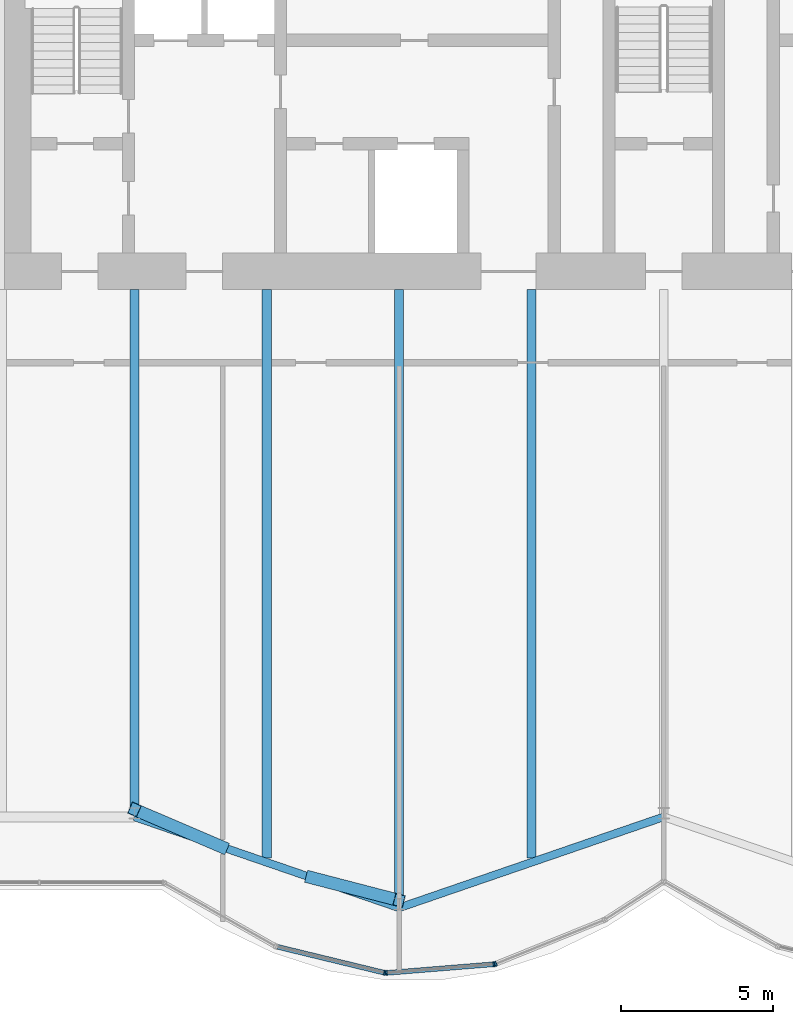
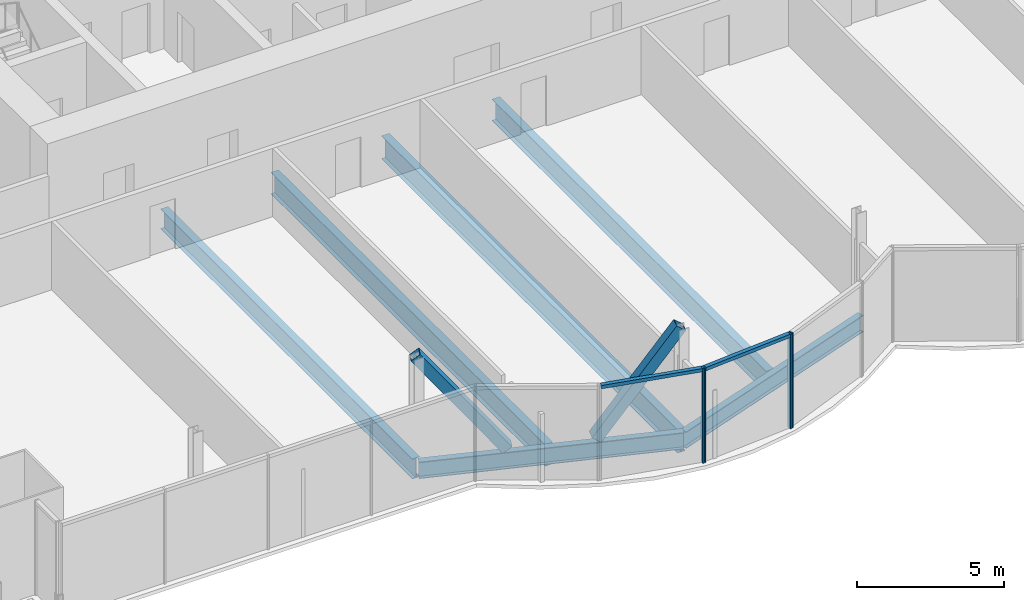
# One storey, part 6 of 20: 8 members, 6 beams, 1 element without a shape of its own.
"""IFC4 building model written with IfcOpenShell, lengths in metres."""

from ifc_helpers import new_model, si_unit, direction, frame, origin, origin_2d, place, context, subcontext, project, spatial, rectangle, hollow_rectangle, i_section, extrude, material, material_profile, profile_set, type_object, element, aggregate, save


model = new_model("IFC4")

# Units and contexts
model_context = context("Model", 3, precision=1e-05, world=origin(), true_north=direction((0.0, 1.0)))
body_context = subcontext(model_context, "Body", "Model", "MODEL_VIEW")
ifc_project = project(units=[si_unit("LENGTHUNIT", "METRE"), si_unit("AREAUNIT", "SQUARE_METRE"), si_unit("VOLUMEUNIT", "CUBIC_METRE"), si_unit("PLANEANGLEUNIT", "RADIAN"), si_unit("MASSUNIT", "GRAM", prefix="KILO")], contexts=[model_context])

# Site, building, storey
site_placement = place(None, origin())
site = spatial("IfcSite", under=ifc_project, at=site_placement, CompositionType="ELEMENT")
building_placement = place(site_placement, origin())
building = spatial("IfcBuilding", under=site, at=building_placement, Name="Bicima Exchange Tower", CompositionType="ELEMENT")
storey_placement = place(building_placement, frame((0.0, 0.0, 199.10009765625)))
storey = spatial("IfcBuildingStorey", under=building, at=storey_placement, Name="L44", CompositionType="ELEMENT", Elevation=199.10009765625)

# Beams
ifc_material_1 = material(Name="Steel ASTM A992 Gr 50", Category="steel")
ifc_material_profile_1 = material_profile(ifc_material_1, i_section(OverallWidth=0.2919921875, OverallDepth=0.835693359375, WebThickness=0.013916015625, FlangeThickness=0.018798828125, at=origin_2d()))
ifc_profile_set_1 = profile_set([ifc_material_profile_1], Name="Steel ASTM A992 Gr 50")
beam_type_1 = type_object("IfcBeamType", Name="Floor beam W33x118", PredefinedType="JOIST", material=ifc_profile_set_1)
beam_1_placement = place(storey_placement, frame((-17.39990234375, -13.0, -0.56787109375), z_axis=(0.0, -1.0, 0.0), x_axis=(1.0, 0.0, 0.0)))
element("IfcBeam", 1, at=beam_1_placement, inside=storey, type_object=beam_type_1, Name="Floor beam", PredefinedType="JOIST", context=body_context, shape_type="SweptSolid", body=[
    extrude(i_section(OverallWidth=0.2919921875, OverallDepth=0.835693359375, WebThickness=0.013916015625, FlangeThickness=0.018798828125, at=origin_2d()), origin(), (0.0, 0.0, 1.0), 17.165283203125),
])
ifc_material_profile_2 = material_profile(ifc_material_1, i_section(OverallWidth=0.3046875, OverallDepth=0.904296875, WebThickness=0.01513671875, FlangeThickness=0.02001953125, at=origin_2d()))
ifc_profile_set_2 = profile_set([ifc_material_profile_2], Name="Steel ASTM A992 Gr 50")
beam_type_2 = type_object("IfcBeamType", Name="Floor beam W36x135", PredefinedType="JOIST", material=ifc_profile_set_2)
for number, where, z_axis, x_axis, name in (
    (2, (-13.050048828125, -13.0, -0.602294921875), (0.0, -1.0, 0.0), (1.0, 0.0, 0.0), "Floor beam"),
    (3, (-4.35009765625, -13.0, -0.602294921875), (0.0, -1.0, 0.0), (1.0, 0.0, 0.0), "Floor beam"),
):
    element("IfcBeam", number, at=place(storey_placement, frame(where, z_axis=z_axis, x_axis=x_axis)), inside=storey, type_object=beam_type_2, Name=name, PredefinedType="JOIST", context=body_context, shape_type="SweptSolid", body=[
        extrude(i_section(OverallWidth=0.3046875, OverallDepth=0.904296875, WebThickness=0.01513671875, FlangeThickness=0.02001953125, at=origin_2d()), origin(), (0.0, 0.0, 1.0), 18.68798828125),
    ])
ifc_material_profile_3 = material_profile(ifc_material_1, i_section(OverallWidth=0.2998046875, OverallDepth=0.97021484375, WebThickness=0.01611328125, FlangeThickness=0.02099609375, at=origin_2d()))
ifc_profile_set_3 = profile_set([ifc_material_profile_3], Name="Steel ASTM A992 Gr 50")
beam_type_3 = type_object("IfcBeamType", Name="Floor beam W40x149", PredefinedType="JOIST", material=ifc_profile_set_3)
beam_2_placement = place(storey_placement, frame((-8.699951171875, -13.0, -0.63525390625), z_axis=(0.0, -1.0, 0.0), x_axis=(1.0, 0.0, 0.0)))
element("IfcBeam", 4, at=beam_2_placement, inside=storey, type_object=beam_type_3, Name="Floor beam", PredefinedType="JOIST", context=body_context, shape_type="SweptSolid", body=[
    extrude(i_section(OverallWidth=0.2998046875, OverallDepth=0.97021484375, WebThickness=0.01611328125, FlangeThickness=0.02099609375, at=origin_2d()), origin(), (0.0, 0.0, 1.0), 20.183349609375),
])
ifc_material_profile_4 = material_profile(ifc_material_1, i_section(OverallWidth=0.256591796875, OverallDepth=0.693359375, WebThickness=0.014404296875, FlangeThickness=0.023681640625, at=origin_2d()))
ifc_profile_set_4 = profile_set([ifc_material_profile_4], Name="Steel ASTM A992 Gr 50")
beam_type_4 = type_object("IfcBeamType", Name="Front girder W27x114", PredefinedType="BEAM", material=ifc_profile_set_4)
for number, where, z_axis, x_axis, name in (
    (5, (-17.39990234375, -30.327880859375, -0.496826171875), (0.945666456746, -0.325138359143, 0.0), (0.325138359143, 0.945666456746, 0.0), "Front girder"),
    (6, (-8.699951171875, -33.319091796875, -0.496826171875), (0.945666456746, 0.325138359143, 0.0), (-0.325138359143, 0.945666456746, 0.0), "Front girder"),
):
    element("IfcBeam", number, at=place(storey_placement, frame(where, z_axis=z_axis, x_axis=x_axis)), inside=storey, type_object=beam_type_4, Name=name, PredefinedType="BEAM", context=body_context, shape_type="SweptSolid", body=[
        extrude(i_section(OverallWidth=0.256591796875, OverallDepth=0.693359375, WebThickness=0.014404296875, FlangeThickness=0.023681640625, at=origin_2d()), origin(), (0.0, 0.0, 1.0), 9.19970703125),
    ])

# Curtain wall, members
ifc_material_2 = material(Name="Anodised bronze aluminium", Category="aluminium")
curtain_wall_type = type_object("IfcCurtainWallType", Name="Front glass wall", PredefinedType="NOTDEFINED", material=ifc_material_2)
curtain_wall_placement = place(storey_placement, origin())
curtain_wall = element("IfcCurtainWall", 7, at=curtain_wall_placement, inside=storey, type_object=curtain_wall_type, Name="Front glass wall L44 run 6", PredefinedType="NOTDEFINED")
ifc_material_profile_5 = material_profile(ifc_material_2, rectangle(XDim=0.159912109375, YDim=0.06005859375, at=origin_2d()))
ifc_profile_set_5 = profile_set([ifc_material_profile_5], Name="Anodised bronze aluminium")
member_type_1 = type_object("IfcMemberType", Name="Front glass wall mullion 60 x 160", PredefinedType="MULLION", material=ifc_profile_set_5)
member_1_placement = place(storey_placement, frame((-9.177490234375, -35.453857421875, 0.0), z_axis=(0.0, 0.0, 1.0), x_axis=(0.235681529503, 0.971830343553, 0.0)))
member_1 = element("IfcMember", 8, at=member_1_placement, type_object=member_type_1, Name="Front glass wall mullion 2", PredefinedType="MULLION", context=body_context, shape_type="SweptSolid", body=[
    extrude(rectangle(XDim=0.159912109375, YDim=0.06005859375, at=origin_2d()), origin(), (0.0, 0.0, 1.0), 3.949951171875),
])
member_2_placement = place(storey_placement, frame((-9.118408203125, -35.45849609375, 0.0), z_axis=(0.0, 0.0, 1.0), x_axis=(-0.080588612633, 0.99674744821, 0.0)))
member_2 = element("IfcMember", 9, at=member_2_placement, type_object=member_type_1, Name="Front glass wall mullion 1", PredefinedType="MULLION", context=body_context, shape_type="SweptSolid", body=[
    extrude(rectangle(XDim=0.159912109375, YDim=0.06005859375, at=origin_2d()), origin(), (0.0, 0.0, 1.0), 3.949951171875),
])
member_3_placement = place(storey_placement, frame((-5.583984375, -35.1728515625, 0.0), z_axis=(0.0, 0.0, 1.0), x_axis=(-0.080588612633, 0.99674744821, 0.0)))
member_3 = element("IfcMember", 10, at=member_3_placement, type_object=member_type_1, Name="Front glass wall mullion 2", PredefinedType="MULLION", context=body_context, shape_type="SweptSolid", body=[
    extrude(rectangle(XDim=0.159912109375, YDim=0.06005859375, at=origin_2d()), origin(), (0.0, 0.0, 1.0), 3.949951171875),
])
member_4_placement = place(storey_placement, frame((-5.526123046875, -35.1591796875, 0.0), z_axis=(0.0, 0.0, 1.0), x_axis=(-0.374705304, 0.92714396679, 0.0)))
member_4 = element("IfcMember", 11, at=member_4_placement, type_object=member_type_1, Name="Front glass wall mullion 1", PredefinedType="MULLION", context=body_context, shape_type="SweptSolid", body=[
    extrude(rectangle(XDim=0.159912109375, YDim=0.06005859375, at=origin_2d()), origin(), (0.0, 0.0, 1.0), 3.949951171875),
])
ifc_material_profile_6 = material_profile(ifc_material_2, rectangle(XDim=0.159912109375, YDim=0.139892578125, at=origin_2d()))
ifc_profile_set_6 = profile_set([ifc_material_profile_6], Name="Anodised bronze aluminium")
member_type_2 = type_object("IfcMemberType", Name="Front glass wall transom 140 x 160", PredefinedType="USERDEFINED", material=ifc_profile_set_6)
member_5_placement = place(storey_placement, frame((-12.68896484375, -34.602294921875, 3.8798828125), z_axis=(0.971817951661, -0.235732621477, 0.0), x_axis=(0.235732621477, 0.971817951661, 0.0)))
member_5 = element("IfcMember", 12, at=member_5_placement, type_object=member_type_2, Name="Front glass wall transom 1.1", ObjectType="TRANSOM", PredefinedType="USERDEFINED", context=body_context, shape_type="SweptSolid", body=[
    extrude(rectangle(XDim=0.159912109375, YDim=0.139892578125, at=origin_2d()), origin(), (0.0, 0.0, 1.0), 3.58349609375),
])
member_6_placement = place(storey_placement, frame((-9.08837890625, -35.456298828125, 3.8798828125), z_axis=(0.9967456465, 0.080610893699, 0.0), x_axis=(-0.080610893699, 0.9967456465, 0.0)))
member_6 = element("IfcMember", 13, at=member_6_placement, type_object=member_type_2, Name="Front glass wall transom 1.1", ObjectType="TRANSOM", PredefinedType="USERDEFINED", context=body_context, shape_type="SweptSolid", body=[
    extrude(rectangle(XDim=0.159912109375, YDim=0.139892578125, at=origin_2d()), origin(), (0.0, 0.0, 1.0), 3.48583984375),
])
aggregate(curtain_wall, [member_1, member_5, member_2, member_3, member_6, member_4])

# Members
ifc_material_3 = material(Name="Steel ASTM A572 Gr 50", Category="steel")
ifc_material_profile_7 = material_profile(ifc_material_3, hollow_rectangle(XDim=0.406494140625, YDim=0.406494140625, WallThickness=0.0146484375, at=origin_2d()))
ifc_profile_set_7 = profile_set([ifc_material_profile_7], Name="Steel ASTM A572 Gr 50")
member_type_3 = type_object("IfcMemberType", Name="Mega brace HSS16x16x5/8", PredefinedType="BRACE", material=ifc_profile_set_7)
member_7_placement = place(storey_placement, frame((-11.60009765625, -32.322021484375, 0.0), z_axis=(0.571110577568, -0.148318556427, 0.807362566639), x_axis=(0.251363668904, 0.967892714073, 0.0)))
element("IfcMember", 14, at=member_7_placement, inside=storey, type_object=member_type_3, Name="Mega brace front", PredefinedType="BRACE", context=body_context, shape_type="SweptSolid", body=[
    extrude(hollow_rectangle(XDim=0.406494140625, YDim=0.406494140625, WallThickness=0.0146484375, at=origin_2d()), origin(), (0.0, 0.0, 1.0), 5.078125),
])
member_8_placement = place(storey_placement, frame((-14.5, -31.324951171875, 0.0), z_axis=(-0.560602039363, 0.239900670659, 0.79257366956), x_axis=(-0.393424148395, -0.919357079409, 0.0)))
element("IfcMember", 15, at=member_8_placement, inside=storey, type_object=member_type_3, Name="Mega brace front", PredefinedType="BRACE", context=body_context, shape_type="SweptSolid", body=[
    extrude(hollow_rectangle(XDim=0.406494140625, YDim=0.406494140625, WallThickness=0.0146484375, at=origin_2d()), origin(), (0.0, 0.0, 1.0), 5.1728515625),
])

save(model, "model.ifc")
